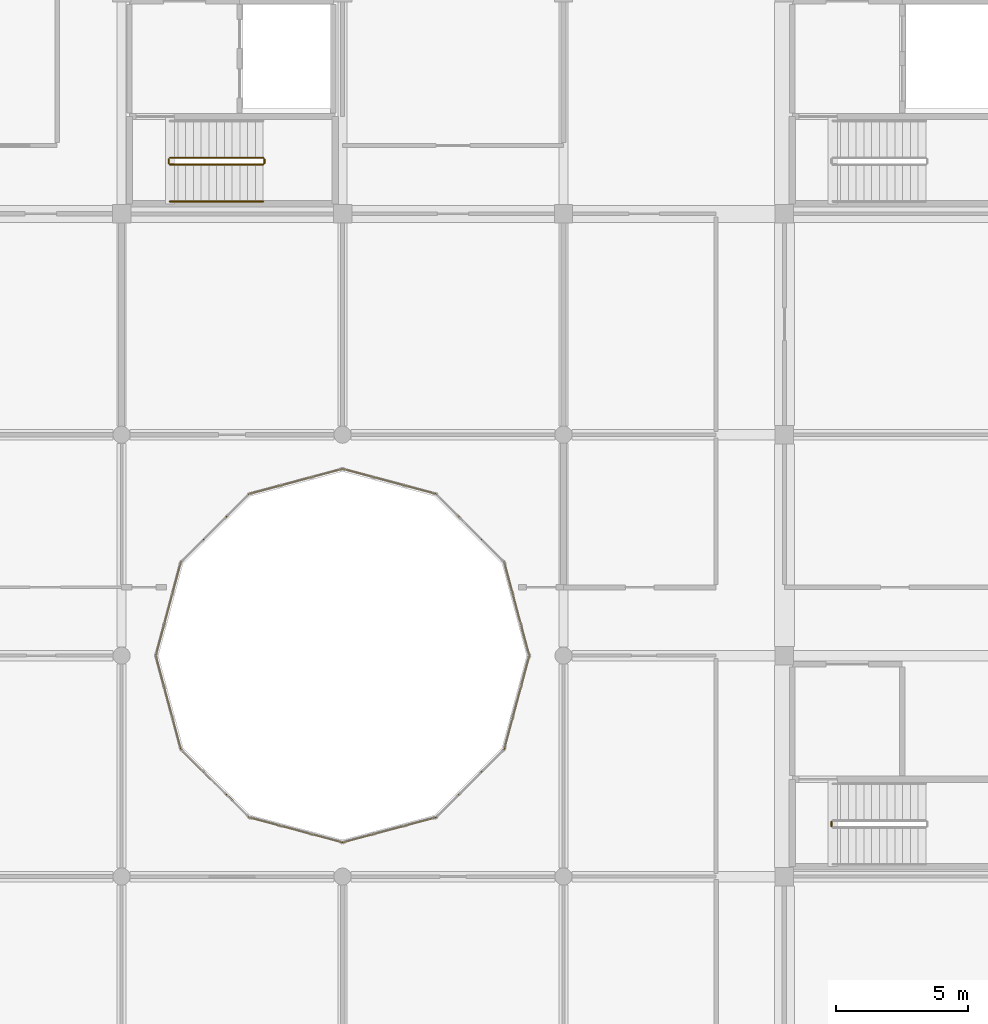
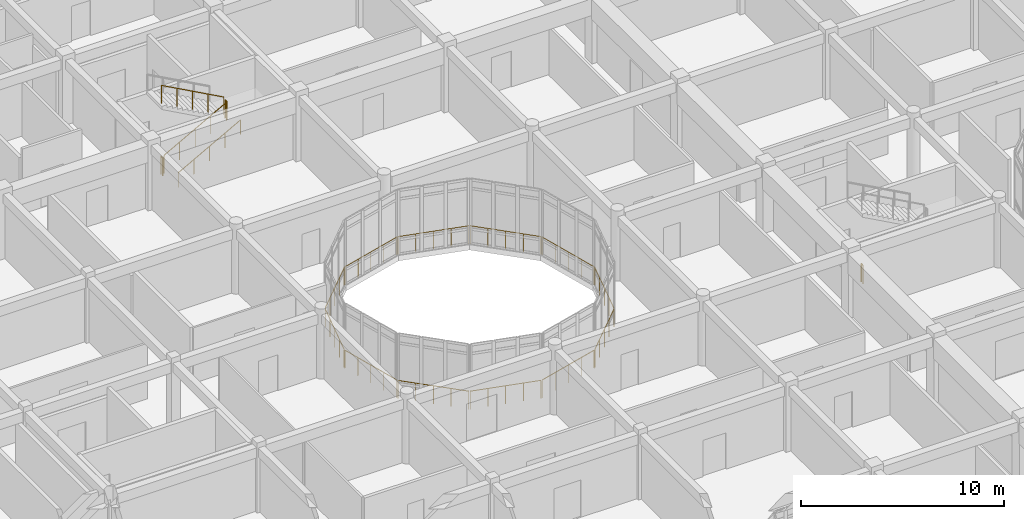
# One storey, part 112 of 119: 18 railings.
"""IFC4 building model written with IfcOpenShell, lengths in metres."""

from ifc_helpers import new_model, si_unit, direction, frame, origin, origin_2d, place, context, subcontext, project, spatial, circle, extrude, material, type_object, element, save


model = new_model("IFC4")

# Units and contexts
model_context = context("Model", 3, precision=1e-05, world=origin(), true_north=direction((0.0, 1.0)))
body_context = subcontext(model_context, "Body", "Model", "MODEL_VIEW")
ifc_project = project(units=[si_unit("LENGTHUNIT", "METRE"), si_unit("AREAUNIT", "SQUARE_METRE"), si_unit("VOLUMEUNIT", "CUBIC_METRE"), si_unit("PLANEANGLEUNIT", "RADIAN"), si_unit("MASSUNIT", "GRAM", prefix="KILO")], contexts=[model_context])

# Site, building, storey
site_placement = place(None, origin())
site = spatial("IfcSite", under=ifc_project, at=site_placement, CompositionType="ELEMENT")
building_placement = place(site_placement, origin())
building = spatial("IfcBuilding", under=site, at=building_placement, Name="Bramfleet General Hospital", CompositionType="ELEMENT")
storey_placement = place(building_placement, frame((0.0, 0.0, 14.39990234375)))
storey = spatial("IfcBuildingStorey", under=building, at=storey_placement, Name="L03", CompositionType="ELEMENT", Elevation=14.39990234375)

# Railings
ifc_material_1 = material(Name="Stainless steel 1.4401 safety balustrade", Category="steel")
railing_type_1 = type_object("IfcRailingType", Name="RAIL-EXT-GUARD", PredefinedType="GUARDRAIL", material=ifc_material_1)
railing_1_placement = place(storey_placement, frame((76.906005859375, 75.564453125, 0.0)))
element("IfcRailing", 1, at=railing_1_placement, inside=storey, type_object=railing_type_1, Name="L03 Safety Guard Rail 129", PredefinedType="GUARDRAIL", context=body_context, shape_type="SweptSolid", body=[
    extrude(circle(Radius=0.02392578125, at=origin_2d()), frame((0.0, 0.0, 1.076171875), z_axis=(0.258809459738, -0.965928394629, 0.0), x_axis=(0.965928394629, 0.258809459738, 0.0)), (0.0, 0.0, 1.0), 3.603515625),
    extrude(circle(Radius=0.02099609375, at=origin_2d()), origin(), (0.0, 0.0, 1.0), 1.052001953125),
    extrude(circle(Radius=0.02099609375, at=origin_2d()), frame((0.233154296875, -0.8701171875, 0.0)), (0.0, 0.0, 1.0), 1.052001953125),
    extrude(circle(Radius=0.02099609375, at=origin_2d()), frame((0.46630859375, -1.740234375, 0.0)), (0.0, 0.0, 1.0), 1.052001953125),
    extrude(circle(Radius=0.02099609375, at=origin_2d()), frame((0.699462890625, -2.610595703125, 0.0)), (0.0, 0.0, 1.0), 1.052001953125),
    extrude(circle(Radius=0.02099609375, at=origin_2d()), frame((0.9326171875, -3.480712890625, 0.0)), (0.0, 0.0, 1.0), 1.052001953125),
])
railing_2_placement = place(storey_placement, frame((77.874267578125, 72.022216796875, 0.0)))
element("IfcRailing", 2, at=railing_2_placement, inside=storey, type_object=railing_type_1, Name="L03 Safety Guard Rail 130", PredefinedType="GUARDRAIL", context=body_context, shape_type="SweptSolid", body=[
    extrude(circle(Radius=0.02392578125, at=origin_2d()), frame((0.0, 0.0, 1.076171875), z_axis=(0.707072903751, -0.707140656999, 0.0), x_axis=(0.707140656999, 0.707072903751, 0.0)), (0.0, 0.0, 1.0), 3.603271484375),
    extrude(circle(Radius=0.02099609375, at=origin_2d()), origin(), (0.0, 0.0, 1.0), 1.052001953125),
    extrude(circle(Radius=0.02099609375, at=origin_2d()), frame((0.636962890625, -0.636962890625, 0.0)), (0.0, 0.0, 1.0), 1.052001953125),
    extrude(circle(Radius=0.02099609375, at=origin_2d()), frame((1.27392578125, -1.27392578125, 0.0)), (0.0, 0.0, 1.0), 1.052001953125),
    extrude(circle(Radius=0.02099609375, at=origin_2d()), frame((1.910888671875, -1.9111328125, 0.0)), (0.0, 0.0, 1.0), 1.052001953125),
    extrude(circle(Radius=0.02099609375, at=origin_2d()), frame((2.5478515625, -2.548095703125, 0.0)), (0.0, 0.0, 1.0), 1.052001953125),
])
railing_3_placement = place(storey_placement, frame((80.48388671875, 69.438720703125, 0.0)))
element("IfcRailing", 3, at=railing_3_placement, inside=storey, type_object=railing_type_1, Name="L03 Safety Guard Rail 131", PredefinedType="GUARDRAIL", context=body_context, shape_type="SweptSolid", body=[
    extrude(circle(Radius=0.02392578125, at=origin_2d()), frame((0.0, 0.0, 1.076171875), z_axis=(0.965928394629, -0.258809459738, 0.0), x_axis=(0.258809459738, 0.965928394629, 0.0)), (0.0, 0.0, 1.0), 3.603515625),
    extrude(circle(Radius=0.02099609375, at=origin_2d()), origin(), (0.0, 0.0, 1.0), 1.052001953125),
    extrude(circle(Radius=0.02099609375, at=origin_2d()), frame((0.8701171875, -0.233154296875, 0.0)), (0.0, 0.0, 1.0), 1.052001953125),
    extrude(circle(Radius=0.02099609375, at=origin_2d()), frame((1.740234375, -0.46630859375, 0.0)), (0.0, 0.0, 1.0), 1.052001953125),
    extrude(circle(Radius=0.02099609375, at=origin_2d()), frame((2.610595703125, -0.699462890625, 0.0)), (0.0, 0.0, 1.0), 1.052001953125),
    extrude(circle(Radius=0.02099609375, at=origin_2d()), frame((3.480712890625, -0.9326171875, 0.0)), (0.0, 0.0, 1.0), 1.052001953125),
])
railing_4_placement = place(storey_placement, frame((84.035400390625, 68.506103515625, 0.0)))
element("IfcRailing", 4, at=railing_4_placement, inside=storey, type_object=railing_type_1, Name="L03 Safety Guard Rail 132", PredefinedType="GUARDRAIL", context=body_context, shape_type="SweptSolid", body=[
    extrude(circle(Radius=0.02392578125, at=origin_2d()), frame((0.0, 0.0, 1.076171875), z_axis=(0.965928394629, 0.258809459738, 0.0), x_axis=(-0.258809459738, 0.965928394629, 0.0)), (0.0, 0.0, 1.0), 3.603515625),
    extrude(circle(Radius=0.02099609375, at=origin_2d()), origin(), (0.0, 0.0, 1.0), 1.052001953125),
    extrude(circle(Radius=0.02099609375, at=origin_2d()), frame((0.8701171875, 0.233154296875, 0.0)), (0.0, 0.0, 1.0), 1.052001953125),
    extrude(circle(Radius=0.02099609375, at=origin_2d()), frame((1.740234375, 0.46630859375, 0.0)), (0.0, 0.0, 1.0), 1.052001953125),
    extrude(circle(Radius=0.02099609375, at=origin_2d()), frame((2.610595703125, 0.699462890625, 0.0)), (0.0, 0.0, 1.0), 1.052001953125),
    extrude(circle(Radius=0.02099609375, at=origin_2d()), frame((3.480712890625, 0.9326171875, 0.0)), (0.0, 0.0, 1.0), 1.052001953125),
])
railing_5_placement = place(storey_placement, frame((87.577880859375, 69.47412109375, 0.0)))
element("IfcRailing", 5, at=railing_5_placement, inside=storey, type_object=railing_type_1, Name="L03 Safety Guard Rail 133", PredefinedType="GUARDRAIL", context=body_context, shape_type="SweptSolid", body=[
    extrude(circle(Radius=0.02392578125, at=origin_2d()), frame((0.0, 0.0, 1.076171875), z_axis=(0.707072903751, 0.707140656999, 0.0), x_axis=(-0.707140656999, 0.707072903751, 0.0)), (0.0, 0.0, 1.0), 3.603271484375),
    extrude(circle(Radius=0.02099609375, at=origin_2d()), origin(), (0.0, 0.0, 1.0), 1.052001953125),
    extrude(circle(Radius=0.02099609375, at=origin_2d()), frame((0.636962890625, 0.636962890625, 0.0)), (0.0, 0.0, 1.0), 1.052001953125),
    extrude(circle(Radius=0.02099609375, at=origin_2d()), frame((1.27392578125, 1.27392578125, 0.0)), (0.0, 0.0, 1.0), 1.052001953125),
    extrude(circle(Radius=0.02099609375, at=origin_2d()), frame((1.910888671875, 1.9111328125, 0.0)), (0.0, 0.0, 1.0), 1.052001953125),
    extrude(circle(Radius=0.02099609375, at=origin_2d()), frame((2.5478515625, 2.548095703125, 0.0)), (0.0, 0.0, 1.0), 1.052001953125),
])
railing_6_placement = place(storey_placement, frame((90.161376953125, 72.083740234375, 0.0)))
element("IfcRailing", 6, at=railing_6_placement, inside=storey, type_object=railing_type_1, Name="L03 Safety Guard Rail 134", PredefinedType="GUARDRAIL", context=body_context, shape_type="SweptSolid", body=[
    extrude(circle(Radius=0.02392578125, at=origin_2d()), frame((0.0, 0.0, 1.076171875), z_axis=(0.258809459738, 0.965928394629, 0.0), x_axis=(-0.965928394629, 0.258809459738, 0.0)), (0.0, 0.0, 1.0), 3.603515625),
    extrude(circle(Radius=0.02099609375, at=origin_2d()), origin(), (0.0, 0.0, 1.0), 1.052001953125),
    extrude(circle(Radius=0.02099609375, at=origin_2d()), frame((0.233154296875, 0.8701171875, 0.0)), (0.0, 0.0, 1.0), 1.052001953125),
    extrude(circle(Radius=0.02099609375, at=origin_2d()), frame((0.46630859375, 1.740234375, 0.0)), (0.0, 0.0, 1.0), 1.052001953125),
    extrude(circle(Radius=0.02099609375, at=origin_2d()), frame((0.699462890625, 2.610595703125, 0.0)), (0.0, 0.0, 1.0), 1.052001953125),
    extrude(circle(Radius=0.02099609375, at=origin_2d()), frame((0.9326171875, 3.480712890625, 0.0)), (0.0, 0.0, 1.0), 1.052001953125),
])
railing_7_placement = place(storey_placement, frame((91.093994140625, 75.635498046875, 0.0)))
element("IfcRailing", 7, at=railing_7_placement, inside=storey, type_object=railing_type_1, Name="L03 Safety Guard Rail 135", PredefinedType="GUARDRAIL", context=body_context, shape_type="SweptSolid", body=[
    extrude(circle(Radius=0.02392578125, at=origin_2d()), frame((0.0, 0.0, 1.076171875), z_axis=(-0.258809459738, 0.965928394629, 0.0), x_axis=(-0.965928394629, -0.258809459738, 0.0)), (0.0, 0.0, 1.0), 3.603515625),
    extrude(circle(Radius=0.02099609375, at=origin_2d()), origin(), (0.0, 0.0, 1.0), 1.052001953125),
    extrude(circle(Radius=0.02099609375, at=origin_2d()), frame((-0.233154296875, 0.8701171875, 0.0)), (0.0, 0.0, 1.0), 1.052001953125),
    extrude(circle(Radius=0.02099609375, at=origin_2d()), frame((-0.46630859375, 1.740234375, 0.0)), (0.0, 0.0, 1.0), 1.052001953125),
    extrude(circle(Radius=0.02099609375, at=origin_2d()), frame((-0.699462890625, 2.610595703125, 0.0)), (0.0, 0.0, 1.0), 1.052001953125),
    extrude(circle(Radius=0.02099609375, at=origin_2d()), frame((-0.9326171875, 3.480712890625, 0.0)), (0.0, 0.0, 1.0), 1.052001953125),
])
railing_8_placement = place(storey_placement, frame((90.125732421875, 79.177734375, 0.0)))
element("IfcRailing", 8, at=railing_8_placement, inside=storey, type_object=railing_type_1, Name="L03 Safety Guard Rail 136", PredefinedType="GUARDRAIL", context=body_context, shape_type="SweptSolid", body=[
    extrude(circle(Radius=0.02392578125, at=origin_2d()), frame((0.0, 0.0, 1.076171875), z_axis=(-0.707072903751, 0.707140656999, 0.0), x_axis=(-0.707140656999, -0.707072903751, 0.0)), (0.0, 0.0, 1.0), 3.603271484375),
    extrude(circle(Radius=0.02099609375, at=origin_2d()), origin(), (0.0, 0.0, 1.0), 1.052001953125),
    extrude(circle(Radius=0.02099609375, at=origin_2d()), frame((-0.636962890625, 0.636962890625, 0.0)), (0.0, 0.0, 1.0), 1.052001953125),
    extrude(circle(Radius=0.02099609375, at=origin_2d()), frame((-1.27392578125, 1.27392578125, 0.0)), (0.0, 0.0, 1.0), 1.052001953125),
    extrude(circle(Radius=0.02099609375, at=origin_2d()), frame((-1.910888671875, 1.9111328125, 0.0)), (0.0, 0.0, 1.0), 1.052001953125),
    extrude(circle(Radius=0.02099609375, at=origin_2d()), frame((-2.5478515625, 2.548095703125, 0.0)), (0.0, 0.0, 1.0), 1.052001953125),
])
railing_9_placement = place(storey_placement, frame((87.51611328125, 81.761474609375, 0.0)))
element("IfcRailing", 9, at=railing_9_placement, inside=storey, type_object=railing_type_1, Name="L03 Safety Guard Rail 137", PredefinedType="GUARDRAIL", context=body_context, shape_type="SweptSolid", body=[
    extrude(circle(Radius=0.02392578125, at=origin_2d()), frame((0.0, 0.0, 1.076171875), z_axis=(-0.965928394629, 0.258809459738, 0.0), x_axis=(-0.258809459738, -0.965928394629, 0.0)), (0.0, 0.0, 1.0), 3.603515625),
    extrude(circle(Radius=0.02099609375, at=origin_2d()), origin(), (0.0, 0.0, 1.0), 1.052001953125),
    extrude(circle(Radius=0.02099609375, at=origin_2d()), frame((-0.8701171875, 0.233154296875, 0.0)), (0.0, 0.0, 1.0), 1.052001953125),
    extrude(circle(Radius=0.02099609375, at=origin_2d()), frame((-1.740234375, 0.46630859375, 0.0)), (0.0, 0.0, 1.0), 1.052001953125),
    extrude(circle(Radius=0.02099609375, at=origin_2d()), frame((-2.610595703125, 0.699462890625, 0.0)), (0.0, 0.0, 1.0), 1.052001953125),
    extrude(circle(Radius=0.02099609375, at=origin_2d()), frame((-3.480712890625, 0.9326171875, 0.0)), (0.0, 0.0, 1.0), 1.052001953125),
])
railing_10_placement = place(storey_placement, frame((83.964599609375, 82.694091796875, 0.0)))
element("IfcRailing", 10, at=railing_10_placement, inside=storey, type_object=railing_type_1, Name="L03 Safety Guard Rail 138", PredefinedType="GUARDRAIL", context=body_context, shape_type="SweptSolid", body=[
    extrude(circle(Radius=0.02392578125, at=origin_2d()), frame((0.0, 0.0, 1.076171875), z_axis=(-0.965928394629, -0.258809459738, 0.0), x_axis=(0.258809459738, -0.965928394629, 0.0)), (0.0, 0.0, 1.0), 3.603515625),
    extrude(circle(Radius=0.02099609375, at=origin_2d()), origin(), (0.0, 0.0, 1.0), 1.052001953125),
    extrude(circle(Radius=0.02099609375, at=origin_2d()), frame((-0.8701171875, -0.233154296875, 0.0)), (0.0, 0.0, 1.0), 1.052001953125),
    extrude(circle(Radius=0.02099609375, at=origin_2d()), frame((-1.740234375, -0.46630859375, 0.0)), (0.0, 0.0, 1.0), 1.052001953125),
    extrude(circle(Radius=0.02099609375, at=origin_2d()), frame((-2.610595703125, -0.699462890625, 0.0)), (0.0, 0.0, 1.0), 1.052001953125),
    extrude(circle(Radius=0.02099609375, at=origin_2d()), frame((-3.480712890625, -0.9326171875, 0.0)), (0.0, 0.0, 1.0), 1.052001953125),
])
railing_11_placement = place(storey_placement, frame((80.422119140625, 81.725830078125, 0.0)))
element("IfcRailing", 11, at=railing_11_placement, inside=storey, type_object=railing_type_1, Name="L03 Safety Guard Rail 139", PredefinedType="GUARDRAIL", context=body_context, shape_type="SweptSolid", body=[
    extrude(circle(Radius=0.02392578125, at=origin_2d()), frame((0.0, 0.0, 1.076171875), z_axis=(-0.707072903751, -0.707140656999, 0.0), x_axis=(0.707140656999, -0.707072903751, 0.0)), (0.0, 0.0, 1.0), 3.603271484375),
    extrude(circle(Radius=0.02099609375, at=origin_2d()), origin(), (0.0, 0.0, 1.0), 1.052001953125),
    extrude(circle(Radius=0.02099609375, at=origin_2d()), frame((-0.636962890625, -0.636962890625, 0.0)), (0.0, 0.0, 1.0), 1.052001953125),
    extrude(circle(Radius=0.02099609375, at=origin_2d()), frame((-1.27392578125, -1.27392578125, 0.0)), (0.0, 0.0, 1.0), 1.052001953125),
    extrude(circle(Radius=0.02099609375, at=origin_2d()), frame((-1.910888671875, -1.9111328125, 0.0)), (0.0, 0.0, 1.0), 1.052001953125),
    extrude(circle(Radius=0.02099609375, at=origin_2d()), frame((-2.5478515625, -2.548095703125, 0.0)), (0.0, 0.0, 1.0), 1.052001953125),
])
railing_12_placement = place(storey_placement, frame((77.838623046875, 79.1162109375, 0.0)))
element("IfcRailing", 12, at=railing_12_placement, inside=storey, type_object=railing_type_1, Name="L03 Safety Guard Rail 140", PredefinedType="GUARDRAIL", context=body_context, shape_type="SweptSolid", body=[
    extrude(circle(Radius=0.02392578125, at=origin_2d()), frame((0.0, 0.0, 1.076171875), z_axis=(-0.258809459738, -0.965928394629, 0.0), x_axis=(0.965928394629, -0.258809459738, 0.0)), (0.0, 0.0, 1.0), 3.603515625),
    extrude(circle(Radius=0.02099609375, at=origin_2d()), origin(), (0.0, 0.0, 1.0), 1.052001953125),
    extrude(circle(Radius=0.02099609375, at=origin_2d()), frame((-0.233154296875, -0.8701171875, 0.0)), (0.0, 0.0, 1.0), 1.052001953125),
    extrude(circle(Radius=0.02099609375, at=origin_2d()), frame((-0.46630859375, -1.740234375, 0.0)), (0.0, 0.0, 1.0), 1.052001953125),
    extrude(circle(Radius=0.02099609375, at=origin_2d()), frame((-0.699462890625, -2.610595703125, 0.0)), (0.0, 0.0, 1.0), 1.052001953125),
    extrude(circle(Radius=0.02099609375, at=origin_2d()), frame((-0.9326171875, -3.480712890625, 0.0)), (0.0, 0.0, 1.0), 1.052001953125),
])
ifc_material_2 = material(Name="Powder-coated steel stair balustrade", Category="steel")
railing_type_2 = type_object("IfcRailingType", Name="RAIL-ST-GUARD", PredefinedType="GUARDRAIL", material=ifc_material_2)
railing_13_placement = place(storey_placement, frame((77.43994140625, 94.27001953125, 0.16162109375)))
element("IfcRailing", 13, at=railing_13_placement, inside=storey, type_object=railing_type_2, Name="L03 ST-C5 stair guard 1", PredefinedType="GUARDRAIL", context=body_context, shape_type="SweptSolid", body=[
    extrude(circle(Radius=0.02392578125, at=origin_2d()), frame((0.0, 0.0, 1.076171875), z_axis=(0.877108402541, 0.0, 0.480292463185), x_axis=(0.0, 1.0, 0.0)), (0.0, 0.0, 1.0), 4.0361328125),
    extrude(circle(Radius=0.02099609375, at=origin_2d()), origin(), (0.0, 0.0, 1.0), 1.052001953125),
    extrude(circle(Radius=0.02099609375, at=origin_2d()), frame((0.885009765625, 0.0, 0.484619140625)), (0.0, 0.0, 1.0), 1.052001953125),
    extrude(circle(Radius=0.02099609375, at=origin_2d()), frame((1.77001953125, 0.0, 0.96923828125)), (0.0, 0.0, 1.0), 1.052001953125),
    extrude(circle(Radius=0.02099609375, at=origin_2d()), frame((2.655029296875, 0.0, 1.453857421875)), (0.0, 0.0, 1.0), 1.052001953125),
    extrude(circle(Radius=0.02099609375, at=origin_2d()), frame((3.5400390625, 0.0, 1.9384765625)), (0.0, 0.0, 1.0), 1.052001953125),
])
railing_14_placement = place(storey_placement, frame((81.030029296875, 94.320068359375, 2.10009765625)))
element("IfcRailing", 14, at=railing_14_placement, inside=storey, type_object=railing_type_2, Name="L03 ST-C5 stair guard 2", PredefinedType="GUARDRAIL", context=body_context, shape_type="SweptSolid", body=[
    extrude(circle(Radius=0.02392578125, at=origin_2d()), frame((0.0, 0.0, 1.076171875), z_axis=(0.0, 1.0, 0.0), x_axis=(-1.0, 0.0, 0.0)), (0.0, 0.0, 1.0), 0.159912109375),
    extrude(circle(Radius=0.02099609375, at=origin_2d()), origin(), (0.0, 0.0, 1.0), 1.052001953125),
    extrude(circle(Radius=0.02099609375, at=origin_2d()), frame((0.0, 0.159912109375, 0.0)), (0.0, 0.0, 1.0), 1.052001953125),
])
railing_15_placement = place(storey_placement, frame((80.97998046875, 94.530029296875, 2.26171875)))
element("IfcRailing", 15, at=railing_15_placement, inside=storey, type_object=railing_type_2, Name="L03 ST-C5 stair guard 3", PredefinedType="GUARDRAIL", context=body_context, shape_type="SweptSolid", body=[
    extrude(circle(Radius=0.02392578125, at=origin_2d()), frame((0.0, 0.0, 1.076171875), z_axis=(-0.877108402541, 0.0, 0.480292463185), x_axis=(0.0, -1.0, 0.0)), (0.0, 0.0, 1.0), 4.0361328125),
    extrude(circle(Radius=0.02099609375, at=origin_2d()), origin(), (0.0, 0.0, 1.0), 1.052001953125),
    extrude(circle(Radius=0.02099609375, at=origin_2d()), frame((-0.885009765625, 0.0, 0.484619140625)), (0.0, 0.0, 1.0), 1.052001953125),
    extrude(circle(Radius=0.02099609375, at=origin_2d()), frame((-1.77001953125, 0.0, 0.96923828125)), (0.0, 0.0, 1.0), 1.052001953125),
    extrude(circle(Radius=0.02099609375, at=origin_2d()), frame((-2.655029296875, 0.0, 1.453857421875)), (0.0, 0.0, 1.0), 1.052001953125),
    extrude(circle(Radius=0.02099609375, at=origin_2d()), frame((-3.5400390625, 0.0, 1.9384765625)), (0.0, 0.0, 1.0), 1.052001953125),
])
for number, where, name in (
    (16, (77.389892578125, 94.320068359375, 0.0), "L03 ST-C5 stair guard 4"),
    (17, (102.590087890625, 69.1201171875, 0.0), "L03 ST-C11 stair guard 4"),
):
    element("IfcRailing", number, at=place(storey_placement, frame(where)), inside=storey, type_object=railing_type_2, Name=name, PredefinedType="GUARDRAIL", context=body_context, shape_type="SweptSolid", body=[
        extrude(circle(Radius=0.02392578125, at=origin_2d()), frame((0.0, 0.0, 1.076171875), z_axis=(0.0, 1.0, 0.0), x_axis=(-1.0, 0.0, 0.0)), (0.0, 0.0, 1.0), 0.159912109375),
        extrude(circle(Radius=0.02099609375, at=origin_2d()), origin(), (0.0, 0.0, 1.0), 1.052001953125),
        extrude(circle(Radius=0.02099609375, at=origin_2d()), frame((0.0, 0.159912109375, 0.0)), (0.0, 0.0, 1.0), 1.052001953125),
    ])
ifc_material_3 = material(Name="Stainless steel 1.4301 stair handrail", Category="steel")
railing_type_3 = type_object("IfcRailingType", Name="RAIL-ST-HND", PredefinedType="HANDRAIL", material=ifc_material_3)
railing_16_placement = place(storey_placement, frame((77.43994140625, 92.8701171875, 0.16162109375)))
element("IfcRailing", 18, at=railing_16_placement, inside=storey, type_object=railing_type_3, Name="L03 ST-C5 stair handrail 1", PredefinedType="HANDRAIL", context=body_context, shape_type="SweptSolid", body=[
    extrude(circle(Radius=0.02392578125, at=origin_2d()), frame((0.0, 0.0, 0.8759765625), z_axis=(0.877108402541, 0.0, 0.480292463185), x_axis=(0.0, 1.0, 0.0)), (0.0, 0.0, 1.0), 4.0361328125),
    extrude(circle(Radius=0.02099609375, at=origin_2d()), origin(), (0.0, 0.0, 1.0), 0.851806640625),
    extrude(circle(Radius=0.02099609375, at=origin_2d()), frame((0.885009765625, 0.0, 0.484619140625)), (0.0, 0.0, 1.0), 0.851806640625),
    extrude(circle(Radius=0.02099609375, at=origin_2d()), frame((1.77001953125, 0.0, 0.96923828125)), (0.0, 0.0, 1.0), 0.851806640625),
    extrude(circle(Radius=0.02099609375, at=origin_2d()), frame((2.655029296875, 0.0, 1.453857421875)), (0.0, 0.0, 1.0), 0.851806640625),
    extrude(circle(Radius=0.02099609375, at=origin_2d()), frame((3.5400390625, 0.0, 1.9384765625)), (0.0, 0.0, 1.0), 0.851806640625),
])

save(model, "model.ifc")
